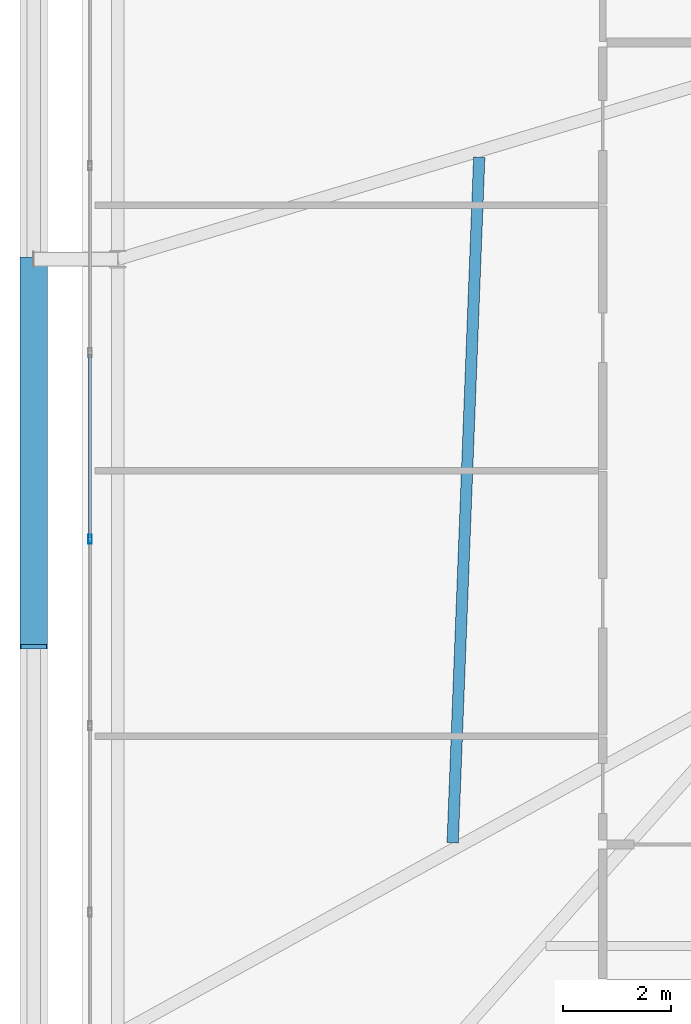
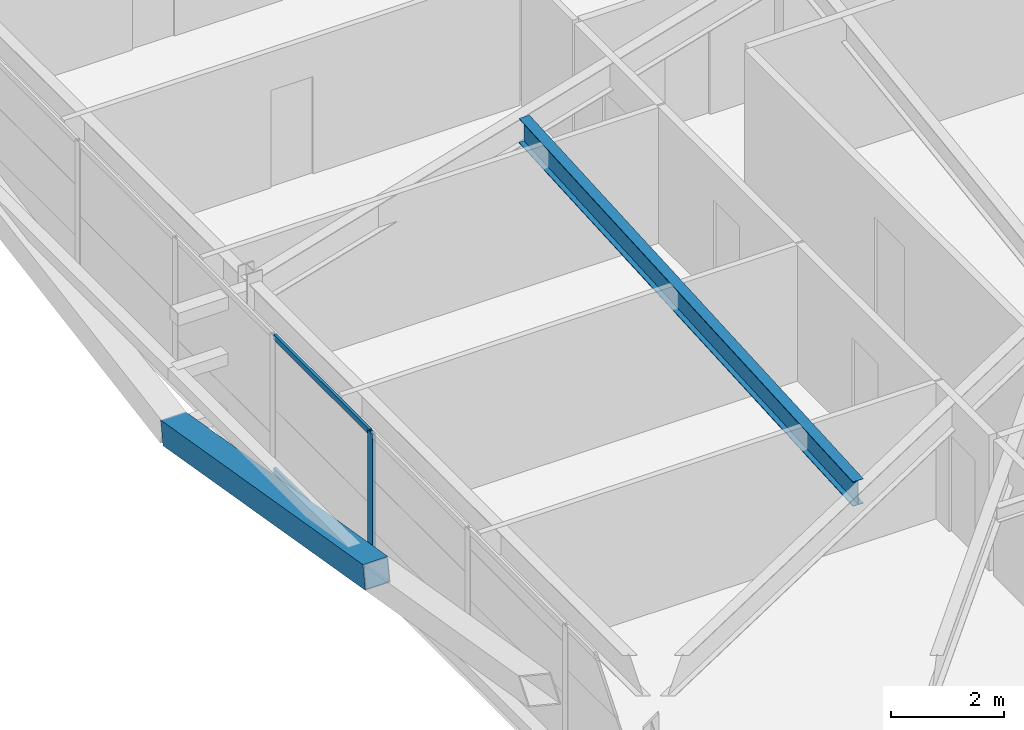
# One storey, part 10 of 58: 4 members, 1 beam, 1 element without a shape of its own.
"""IFC4 building model written with IfcOpenShell, lengths in metres."""

from ifc_helpers import new_model, si_unit, direction, frame, origin, origin_2d, place, context, subcontext, project, spatial, hollow_rectangle, i_section, extrude, source, transform, mapped, material, layer, layer_set, material_profile, profile_set, type_object, element, aggregate, save


model = new_model("IFC4")

# Units and contexts
model_context = context("Model", 3, precision=1e-05, world=origin(), true_north=direction((0.0, 1.0)))
body_context = subcontext(model_context, "Body", "Model", "MODEL_VIEW")
ifc_project = project(units=[si_unit("LENGTHUNIT", "METRE"), si_unit("AREAUNIT", "SQUARE_METRE"), si_unit("VOLUMEUNIT", "CUBIC_METRE"), si_unit("PLANEANGLEUNIT", "RADIAN"), si_unit("MASSUNIT", "GRAM", prefix="KILO")], contexts=[model_context])

# Site, building, storey
site_placement = place(None, origin())
site = spatial("IfcSite", under=ifc_project, at=site_placement, CompositionType="ELEMENT")
building_placement = place(site_placement, origin())
building = spatial("IfcBuilding", under=site, at=building_placement, Name="Taldren Reach Tower", CompositionType="ELEMENT")
storey_placement = place(building_placement, frame((0.0, 0.0, 32.550048828125)))
storey = spatial("IfcBuildingStorey", under=building, at=storey_placement, Name="L09", CompositionType="ELEMENT", Elevation=32.550048828125)

# Beam
ifc_material_1 = material(Name="Steel Gr 350 (350PLUS)", Category="steel")
ifc_material_profile_1 = material_profile(ifc_material_1, i_section(OverallWidth=0.208984375, OverallDepth=0.532958984375, WebThickness=0.01025390625, FlangeThickness=0.015625, at=origin_2d()), Name="530UB92.4")
ifc_profile_set_1 = profile_set([ifc_material_profile_1], Name="Steel Gr 350 (350PLUS)")
beam_type = type_object("IfcBeamType", Name="BM-UB530A", PredefinedType="BEAM", material=ifc_profile_set_1)
shared_shape_1 = source(origin(), body_context, "Body", "SweptSolid", [
    extrude(i_section(OverallWidth=0.208984375, OverallDepth=0.532958984375, WebThickness=0.01025390625, FlangeThickness=0.015625, at=origin_2d()), origin(), (0.0, 0.0, 1.0), 12.65625),
])
beam_placement = place(storey_placement, frame((11.830078125, 9.23291015625, 2.663330078125), z_axis=(0.0387346395, 0.99924953225, 0.0), x_axis=(-0.99924953225, 0.0387346395, 0.0)))
element("IfcBeam", 1, at=beam_placement, inside=storey, type_object=beam_type, Name="Secondary floor beam B1 J6 L09", PredefinedType="BEAM", context=body_context, shape_type="MappedRepresentation", body=[
    mapped(shared_shape_1, transform((0.0, 0.0, 0.0), scale=1.0)),
])

# Member
ifc_material_2 = material(Name="Steel Gr 450 (C450L0)", Category="steel")
ifc_material_profile_2 = material_profile(ifc_material_2, hollow_rectangle(XDim=0.510009765625, YDim=0.510009765625, WallThickness=0.02001953125, at=origin_2d()), Name="510x510x20.0SHS")
ifc_profile_set_2 = profile_set([ifc_material_profile_2], Name="Steel Gr 450 (C450L0)")
member_type_1 = type_object("IfcMemberType", Name="MB-EXO508", PredefinedType="BRACE", material=ifc_profile_set_2)
shared_shape_2 = source(origin(), body_context, "Body", "SweptSolid", [
    extrude(hollow_rectangle(XDim=0.510009765625, YDim=0.510009765625, WallThickness=0.02001953125, at=origin_2d()), origin(), (0.0, 0.0, 1.0), 7.25244140625),
])
member_1_placement = place(storey_placement, frame((4.10009765625, 20.0, 0.219970703125), z_axis=(0.0, -0.985864855729, 0.167542490848), x_axis=(1.0, 0.0, 0.0)))
element("IfcMember", 2, at=member_1_placement, inside=storey, type_object=member_type_1, Name="Exoskeleton Diagrid Brace B1-W1 L09", PredefinedType="BRACE", context=body_context, shape_type="MappedRepresentation", body=[
    mapped(shared_shape_2, transform((0.0, 0.0, 0.0), scale=1.0)),
])

# Curtain wall, members
ifc_material_3 = material(Name="Aluminium and Low-E Glass Unitised System", Category="aluminium")
ifc_layer = layer(ifc_material_3, 0.159912109375)
ifc_layer_set = layer_set([ifc_layer], Name="Aluminium and Low-E Glass Unitised System")
curtain_wall_type = type_object("IfcCurtainWallType", Name="CW-SYS-2", PredefinedType="NOTDEFINED", material=ifc_layer_set)
curtain_wall_placement = place(storey_placement, origin())
curtain_wall = element("IfcCurtainWall", 3, at=curtain_wall_placement, inside=storey, type_object=curtain_wall_type, Name="Unitised curtain wall CW-L09-W", PredefinedType="NOTDEFINED")
ifc_material_4 = material(Name="Anodised Aluminium 6063-T6", Category="aluminium")
ifc_material_profile_3 = material_profile(ifc_material_4, hollow_rectangle(XDim=0.06494140625, YDim=0.1650390625, WallThickness=0.00390625, at=origin_2d()), Name="ALU-165x65x4RHS")
ifc_profile_set_3 = profile_set([ifc_material_profile_3], Name="Anodised Aluminium 6063-T6")
member_type_2 = type_object("IfcMemberType", Name="CW-MUL-165", PredefinedType="MULLION", material=ifc_profile_set_3)
shared_shape_3 = source(origin(), body_context, "Body", "SweptSolid", [
    extrude(hollow_rectangle(XDim=0.06494140625, YDim=0.1650390625, WallThickness=0.00390625, at=origin_2d()), origin(), (0.0, 0.0, 1.0), 2.929931640625),
])
member_2_placement = place(storey_placement, frame((5.139892578125, 14.833251953125, 0.0), z_axis=(0.0, 0.0, 1.0), x_axis=(1.0, 0.0, 0.0)))
member_2 = element("IfcMember", 4, at=member_2_placement, type_object=member_type_2, Name="CW-2 mullion 7", PredefinedType="MULLION", context=body_context, shape_type="MappedRepresentation", body=[
    mapped(shared_shape_3, transform((0.0, 0.0, 0.0), scale=1.0)),
])
ifc_material_profile_4 = material_profile(ifc_material_4, hollow_rectangle(XDim=0.054931640625, YDim=0.1201171875, WallThickness=0.0029296875, at=origin_2d()), Name="ALU-120x55x3RHS")
ifc_profile_set_4 = profile_set([ifc_material_profile_4], Name="Anodised Aluminium 6063-T6")
member_type_3 = type_object("IfcMemberType", Name="CW-TRN-135", PredefinedType="USERDEFINED", material=ifc_profile_set_4)
shared_shape_4 = source(origin(), body_context, "Body", "SweptSolid", [
    extrude(hollow_rectangle(XDim=0.054931640625, YDim=0.1201171875, WallThickness=0.0029296875, at=origin_2d()), origin(), (0.0, 0.0, 1.0), 3.379638671875),
])
member_3_placement = place(storey_placement, frame((5.139892578125, 18.245361328125, 0.02734375), z_axis=(0.0, -1.0, 0.0), x_axis=(1.0, 0.0, 0.0)))
member_3 = element("IfcMember", 5, at=member_3_placement, type_object=member_type_3, Name="CW-2 transom 6.1", ObjectType="TRANSOM", PredefinedType="USERDEFINED", context=body_context, shape_type="MappedRepresentation", body=[
    mapped(shared_shape_4, transform((0.0, 0.0, 0.0), scale=1.0)),
])
member_4_placement = place(storey_placement, frame((5.139892578125, 18.245361328125, 2.90234375), z_axis=(0.0, -1.0, 0.0), x_axis=(1.0, 0.0, 0.0)))
member_4 = element("IfcMember", 6, at=member_4_placement, type_object=member_type_3, Name="CW-2 transom 6.2", ObjectType="TRANSOM", PredefinedType="USERDEFINED", context=body_context, shape_type="MappedRepresentation", body=[
    mapped(shared_shape_4, transform((0.0, 0.0, 0.0), scale=1.0)),
])
aggregate(curtain_wall, [member_2, member_3, member_4])

save(model, "model.ifc")
